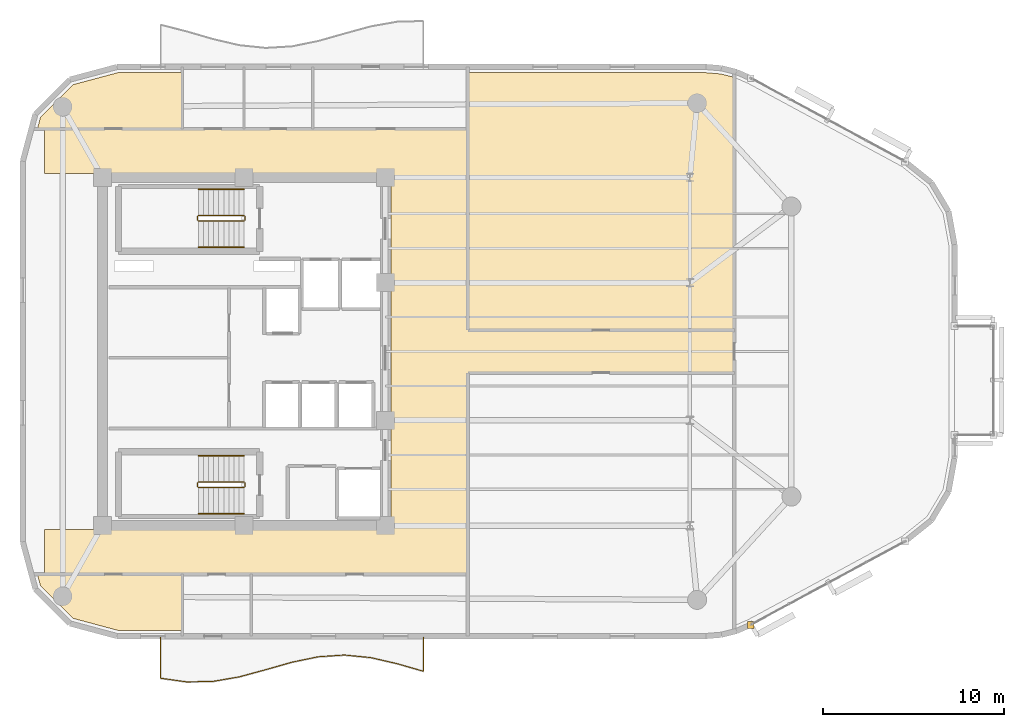
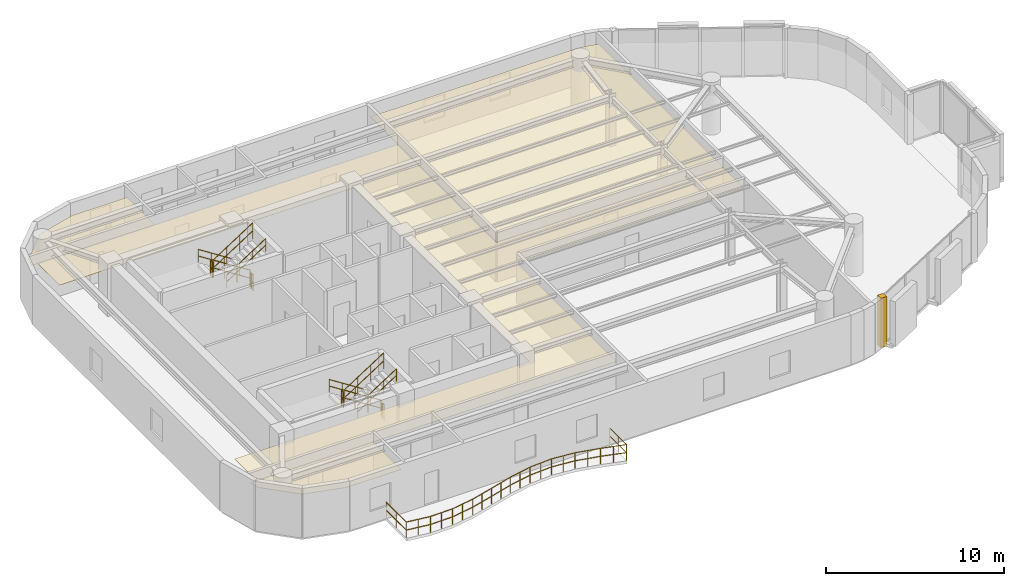
# One storey, part 13 of 14: 13 railings, 5 coverings.
"""IFC4 building model written with IfcOpenShell, lengths in metres."""

from ifc_helpers import new_model, si_unit, direction, frame, origin, origin_2d, place, context, subcontext, project, spatial, polyline, rectangle, circle, outline, extrude, material, layer, layer_set, type_object, element, save


model = new_model("IFC4")

# Units and contexts
model_context = context("Model", 3, precision=1e-05, world=origin(), true_north=direction((0.0, 1.0)))
body_context = subcontext(model_context, "Body", "Model", "MODEL_VIEW")
ifc_project = project(units=[si_unit("LENGTHUNIT", "METRE"), si_unit("AREAUNIT", "SQUARE_METRE"), si_unit("VOLUMEUNIT", "CUBIC_METRE"), si_unit("PLANEANGLEUNIT", "RADIAN"), si_unit("MASSUNIT", "GRAM", prefix="KILO")], contexts=[model_context])

# Site, building, storey
site_placement = place(None, origin())
site = spatial("IfcSite", under=ifc_project, at=site_placement, CompositionType="ELEMENT")
building_placement = place(site_placement, origin())
building = spatial("IfcBuilding", under=site, at=building_placement, Name="An Khanh Terracotta Commons", CompositionType="ELEMENT")
storey_placement = place(building_placement, frame((0.0, 0.0, 240.89990234375)))
storey = spatial("IfcBuildingStorey", under=building, at=storey_placement, Name="L63", CompositionType="ELEMENT", Elevation=240.89990234375)

# Coverings
ifc_material_1 = material(Name="Perforated Mineral-Fibre Acoustic Tile")
ifc_layer_1 = layer(ifc_material_1, 0.02001953125, Name="Perforated Mineral-Fibre Acoustic Tile")
ifc_layer_set_1 = layer_set([ifc_layer_1], Name="Perforated Mineral-Fibre Acoustic Tile")
covering_type_1 = type_object("IfcCoveringType", Name="CEIL-ACOUSTIC-18", PredefinedType="CEILING", material=ifc_layer_set_1)
covering_1_placement = place(storey_placement, frame((0.0, 0.0, 2.650146484375)))
element("IfcCovering", 1, at=covering_1_placement, inside=storey, type_object=covering_type_1, Name="L63 Corridor Ceiling", PredefinedType="CEILING", context=body_context, shape_type="SweptSolid", body=[
    extrude(outline(polyline([(18.39990234375, 11.719970703125), (18.39990234375, 14.179931640625), (37.5, 14.179931640625), (37.5, 33.820068359375), (18.39990234375, 33.820068359375), (18.39990234375, 36.280029296875), (37.5, 36.280029296875), (41.75, 36.280029296875), (41.75, 33.820068359375), (41.75, 25.179931640625), (56.449951171875, 25.179931640625), (56.449951171875, 22.820068359375), (41.75, 22.820068359375), (41.75, 14.179931640625), (41.75, 11.719970703125), (37.5, 11.719970703125), (18.39990234375, 11.719970703125)])), origin(), (0.0, 0.0, 1.0), 0.02001953125),
])
covering_2_placement = place(storey_placement, frame((0.0, 0.0, 2.650146484375)))
element("IfcCovering", 2, at=covering_2_placement, inside=storey, type_object=covering_type_1, Name="L63 Collaborative Study Lounge Ceiling", PredefinedType="CEILING", context=body_context, shape_type="SweptSolid", body=[
    extrude(outline(polyline([(54.8720703125, 39.3798828125), (55.68701171875, 39.31201171875), (56.449951171875, 39.1201171875), (56.449951171875, 25.179931640625), (41.75, 25.179931640625), (41.75, 33.820068359375), (41.75, 36.280029296875), (41.75, 39.3798828125), (54.8720703125, 39.3798828125)])), origin(), (0.0, 0.0, 1.0), 0.02001953125),
])
covering_3_placement = place(storey_placement, frame((0.0, 0.0, 2.650146484375)))
element("IfcCovering", 3, at=covering_3_placement, inside=storey, type_object=covering_type_1, Name="L63 Student Reading Library Ceiling", PredefinedType="CEILING", context=body_context, shape_type="SweptSolid", body=[
    extrude(outline(polyline([(26.0, 39.3798828125), (26.0, 39.35009765625), (26.0, 36.280029296875), (18.39990234375, 36.280029296875), (18.008056640625, 36.280029296875), (18.18408203125, 36.93408203125), (19.966064453125, 38.716064453125), (22.44189453125, 39.3798828125), (26.0, 39.3798828125)])), origin(), (0.0, 0.0, 1.0), 0.02001953125),
])
covering_4_placement = place(storey_placement, frame((0.0, 0.0, 2.650146484375)))
element("IfcCovering", 4, at=covering_4_placement, inside=storey, type_object=covering_type_1, Name="L63 Academic Seminar Room Ceiling", PredefinedType="CEILING", context=body_context, shape_type="SweptSolid", body=[
    extrude(outline(polyline([(22.44189453125, 8.6201171875), (19.966064453125, 9.283935546875), (18.18408203125, 11.06591796875), (18.008056640625, 11.719970703125), (18.39990234375, 11.719970703125), (26.0, 11.719970703125), (26.0, 8.64990234375), (26.0, 8.6201171875), (22.44189453125, 8.6201171875)])), origin(), (0.0, 0.0, 1.0), 0.02001953125),
])
ifc_material_2 = material(Name="Fired Terracotta Rainscreen Cladding", Category="masonry")
ifc_layer_2 = layer(ifc_material_2, 0.080078125, Name="Fired Terracotta Rainscreen Cladding")
ifc_layer_set_2 = layer_set([ifc_layer_2], Name="Fired Terracotta Rainscreen Cladding")
covering_type_2 = type_object("IfcCoveringType", Name="COV-JAMB-TERRA", PredefinedType="CLADDING", material=ifc_layer_set_2)
covering_5_placement = place(storey_placement, frame((57.35693359375, 8.925048828125, 0.000244140625), z_axis=(0.0, 0.0, 1.0), x_axis=(1.0, 0.0, 0.0)))
element("IfcCovering", 5, at=covering_5_placement, inside=storey, type_object=covering_type_2, Name="L63 CW-03 Curtain-Wall Jamb Closure JA", PredefinedType="CLADDING", context=body_context, shape_type="SweptSolid", body=[
    extrude(rectangle(XDim=0.3798828125, YDim=0.3798828125, at=origin_2d()), origin(), (0.0, 0.0, 1.0), 3.39990234375),
])

# Railings
ifc_material_3 = material(Name="Brushed Stainless Steel 316", Category="steel")
railing_type_1 = type_object("IfcRailingType", Name="RAIL-BALUSTRADE-1100", PredefinedType="BALUSTRADE", material=ifc_material_3)
railing_1_placement = place(storey_placement, frame((24.800048828125, 8.239990234375, 0.0)))
element("IfcRailing", 6, at=railing_1_placement, inside=storey, type_object=railing_type_1, Name="L63 S Wave Balcony Guard Balustrade", PredefinedType="BALUSTRADE", context=body_context, shape_type="SweptSolid", body=[
    extrude(circle(Radius=0.02392578125, at=origin_2d()), frame((0.0, 0.0, 1.076171875), z_axis=(0.0, -1.0, 0.0), x_axis=(1.0, 0.0, 0.0)), (0.0, 0.0, 1.0), 2.260009765625),
    extrude(circle(Radius=0.02392578125, at=origin_2d()), frame((0.0, 0.0, 0.52587890625), z_axis=(0.0, -1.0, 0.0), x_axis=(1.0, 0.0, 0.0)), (0.0, 0.0, 1.0), 2.260009765625),
    extrude(circle(Radius=0.02392578125, at=origin_2d()), frame((0.0, -2.260009765625, 1.076171875), z_axis=(0.99035227634, -0.138572611827, 0.0), x_axis=(0.138572611827, 0.99035227634, 0.0)), (0.0, 0.0, 1.0), 1.464111328125),
    extrude(circle(Radius=0.02392578125, at=origin_2d()), frame((0.0, -2.260009765625, 0.52587890625), z_axis=(0.99035227634, -0.138572611827, 0.0), x_axis=(0.138572611827, 0.99035227634, 0.0)), (0.0, 0.0, 1.0), 1.464111328125),
    extrude(circle(Radius=0.02392578125, at=origin_2d()), frame((1.449951171875, -2.462890625, 1.076171875), z_axis=(0.999802676501, 0.019864744204, 0.0), x_axis=(-0.019864744204, 0.999802676501, 0.0)), (0.0, 0.0, 1.0), 1.4501953125),
    extrude(circle(Radius=0.02392578125, at=origin_2d()), frame((1.449951171875, -2.462890625, 0.52587890625), z_axis=(0.999802676501, 0.019864744204, 0.0), x_axis=(-0.019864744204, 0.999802676501, 0.0)), (0.0, 0.0, 1.0), 1.4501953125),
    extrude(circle(Radius=0.02392578125, at=origin_2d()), frame((2.89990234375, -2.43408203125, 1.076171875), z_axis=(0.985347824939, 0.170556922721, 0.0), x_axis=(-0.170556922721, 0.985347824939, 0.0)), (0.0, 0.0, 1.0), 1.471435546875),
    extrude(circle(Radius=0.02392578125, at=origin_2d()), frame((2.89990234375, -2.43408203125, 0.52587890625), z_axis=(0.985347824939, 0.170556922721, 0.0), x_axis=(-0.170556922721, 0.985347824939, 0.0)), (0.0, 0.0, 1.0), 1.471435546875),
    extrude(circle(Radius=0.02392578125, at=origin_2d()), frame((4.349853515625, -2.18310546875, 1.076171875), z_axis=(0.965010833307, 0.262210014303, 0.0), x_axis=(-0.262210014303, 0.965010833307, 0.0)), (0.0, 0.0, 1.0), 1.502685546875),
    extrude(circle(Radius=0.02392578125, at=origin_2d()), frame((4.349853515625, -2.18310546875, 0.52587890625), z_axis=(0.965010833307, 0.262210014303, 0.0), x_axis=(-0.262210014303, 0.965010833307, 0.0)), (0.0, 0.0, 1.0), 1.502685546875),
    extrude(circle(Radius=0.02392578125, at=origin_2d()), frame((5.800048828125, -1.7890625, 1.076171875), z_axis=(0.961731438212, 0.27399386992, 0.0), x_axis=(-0.27399386992, 0.961731438212, 0.0)), (0.0, 0.0, 1.0), 1.507568359375),
    extrude(circle(Radius=0.02392578125, at=origin_2d()), frame((5.800048828125, -1.7890625, 0.52587890625), z_axis=(0.961731438212, 0.27399386992, 0.0), x_axis=(-0.27399386992, 0.961731438212, 0.0)), (0.0, 0.0, 1.0), 1.507568359375),
    extrude(circle(Radius=0.02392578125, at=origin_2d()), frame((7.25, -1.3759765625, 1.076171875), z_axis=(0.979252522328, 0.202643769985, 0.0), x_axis=(-0.202643769985, 0.979252522328, 0.0)), (0.0, 0.0, 1.0), 1.480712890625),
    extrude(circle(Radius=0.02392578125, at=origin_2d()), frame((7.25, -1.3759765625, 0.52587890625), z_axis=(0.979252522328, 0.202643769985, 0.0), x_axis=(-0.202643769985, 0.979252522328, 0.0)), (0.0, 0.0, 1.0), 1.480712890625),
    extrude(circle(Radius=0.02392578125, at=origin_2d()), frame((8.699951171875, -1.075927734375, 1.076171875), z_axis=(0.997861802068, 0.065359191952, 0.0), x_axis=(-0.065359191952, 0.997861802068, 0.0)), (0.0, 0.0, 1.0), 1.453125),
    extrude(circle(Radius=0.02392578125, at=origin_2d()), frame((8.699951171875, -1.075927734375, 0.52587890625), z_axis=(0.997861802068, 0.065359191952, 0.0), x_axis=(-0.065359191952, 0.997861802068, 0.0)), (0.0, 0.0, 1.0), 1.453125),
    extrude(circle(Radius=0.02392578125, at=origin_2d()), frame((10.14990234375, -0.98095703125, 1.076171875), z_axis=(0.995232672136, -0.097529115202, 0.0), x_axis=(0.097529115202, 0.995232672136, 0.0)), (0.0, 0.0, 1.0), 1.456787109375),
    extrude(circle(Radius=0.02392578125, at=origin_2d()), frame((10.14990234375, -0.98095703125, 0.52587890625), z_axis=(0.995232672136, -0.097529115202, 0.0), x_axis=(0.097529115202, 0.995232672136, 0.0)), (0.0, 0.0, 1.0), 1.456787109375),
    extrude(circle(Radius=0.02392578125, at=origin_2d()), frame((11.599853515625, -1.123046875, 1.076171875), z_axis=(0.974490639615, -0.224428147305, 0.0), x_axis=(0.224428147305, 0.974490639615, 0.0)), (0.0, 0.0, 1.0), 1.488037109375),
    extrude(circle(Radius=0.02392578125, at=origin_2d()), frame((11.599853515625, -1.123046875, 0.52587890625), z_axis=(0.974490639615, -0.224428147305, 0.0), x_axis=(0.224428147305, 0.974490639615, 0.0)), (0.0, 0.0, 1.0), 1.488037109375),
    extrude(circle(Radius=0.02392578125, at=origin_2d()), frame((13.050048828125, -1.45703125, 1.076171875), z_axis=(0.960701721664, -0.277582784034, 0.0), x_axis=(0.277582784034, 0.960701721664, 0.0)), (0.0, 0.0, 1.0), 1.50927734375),
    extrude(circle(Radius=0.02392578125, at=origin_2d()), frame((13.050048828125, -1.45703125, 0.52587890625), z_axis=(0.960701721664, -0.277582784034, 0.0), x_axis=(0.277582784034, 0.960701721664, 0.0)), (0.0, 0.0, 1.0), 1.50927734375),
    extrude(circle(Radius=0.02392578125, at=origin_2d()), frame((14.5, -1.8759765625, 1.076171875), z_axis=(0.0, 1.0, 0.0), x_axis=(-1.0, 0.0, 0.0)), (0.0, 0.0, 1.0), 1.8759765625),
    extrude(circle(Radius=0.02392578125, at=origin_2d()), frame((14.5, -1.8759765625, 0.52587890625), z_axis=(0.0, 1.0, 0.0), x_axis=(-1.0, 0.0, 0.0)), (0.0, 0.0, 1.0), 1.8759765625),
    extrude(circle(Radius=0.02099609375, at=origin_2d()), origin(), (0.0, 0.0, 1.0), 1.052001953125),
    extrude(circle(Radius=0.02099609375, at=origin_2d()), frame((0.0, -1.1298828125, 0.0)), (0.0, 0.0, 1.0), 1.052001953125),
    extrude(circle(Radius=0.02099609375, at=origin_2d()), frame((0.0, -2.260009765625, 0.0)), (0.0, 0.0, 1.0), 1.052001953125),
    extrude(circle(Radius=0.02099609375, at=origin_2d()), frame((0.72509765625, -2.361328125, 0.0)), (0.0, 0.0, 1.0), 1.052001953125),
    extrude(circle(Radius=0.02099609375, at=origin_2d()), frame((1.449951171875, -2.462890625, 0.0)), (0.0, 0.0, 1.0), 1.052001953125),
    extrude(circle(Radius=0.02099609375, at=origin_2d()), frame((2.1748046875, -2.448486328125, 0.0)), (0.0, 0.0, 1.0), 1.052001953125),
    extrude(circle(Radius=0.02099609375, at=origin_2d()), frame((2.89990234375, -2.43408203125, 0.0)), (0.0, 0.0, 1.0), 1.052001953125),
    extrude(circle(Radius=0.02099609375, at=origin_2d()), frame((3.625, -2.30859375, 0.0)), (0.0, 0.0, 1.0), 1.052001953125),
    extrude(circle(Radius=0.02099609375, at=origin_2d()), frame((4.349853515625, -2.18310546875, 0.0)), (0.0, 0.0, 1.0), 1.052001953125),
    extrude(circle(Radius=0.02099609375, at=origin_2d()), frame((5.074951171875, -1.986083984375, 0.0)), (0.0, 0.0, 1.0), 1.052001953125),
    extrude(circle(Radius=0.02099609375, at=origin_2d()), frame((5.800048828125, -1.7890625, 0.0)), (0.0, 0.0, 1.0), 1.052001953125),
    extrude(circle(Radius=0.02099609375, at=origin_2d()), frame((6.52490234375, -1.58251953125, 0.0)), (0.0, 0.0, 1.0), 1.052001953125),
    extrude(circle(Radius=0.02099609375, at=origin_2d()), frame((7.25, -1.3759765625, 0.0)), (0.0, 0.0, 1.0), 1.052001953125),
    extrude(circle(Radius=0.02099609375, at=origin_2d()), frame((7.97509765625, -1.22607421875, 0.0)), (0.0, 0.0, 1.0), 1.052001953125),
    extrude(circle(Radius=0.02099609375, at=origin_2d()), frame((8.699951171875, -1.075927734375, 0.0)), (0.0, 0.0, 1.0), 1.052001953125),
    extrude(circle(Radius=0.02099609375, at=origin_2d()), frame((9.4248046875, -1.0283203125, 0.0)), (0.0, 0.0, 1.0), 1.052001953125),
    extrude(circle(Radius=0.02099609375, at=origin_2d()), frame((10.14990234375, -0.98095703125, 0.0)), (0.0, 0.0, 1.0), 1.052001953125),
    extrude(circle(Radius=0.02099609375, at=origin_2d()), frame((10.875, -1.052001953125, 0.0)), (0.0, 0.0, 1.0), 1.052001953125),
    extrude(circle(Radius=0.02099609375, at=origin_2d()), frame((11.599853515625, -1.123046875, 0.0)), (0.0, 0.0, 1.0), 1.052001953125),
    extrude(circle(Radius=0.02099609375, at=origin_2d()), frame((12.324951171875, -1.2900390625, 0.0)), (0.0, 0.0, 1.0), 1.052001953125),
    extrude(circle(Radius=0.02099609375, at=origin_2d()), frame((13.050048828125, -1.45703125, 0.0)), (0.0, 0.0, 1.0), 1.052001953125),
    extrude(circle(Radius=0.02099609375, at=origin_2d()), frame((13.77490234375, -1.66650390625, 0.0)), (0.0, 0.0, 1.0), 1.052001953125),
    extrude(circle(Radius=0.02099609375, at=origin_2d()), frame((14.5, -1.8759765625, 0.0)), (0.0, 0.0, 1.0), 1.052001953125),
    extrude(circle(Radius=0.02099609375, at=origin_2d()), frame((14.5, -0.93798828125, 0.0)), (0.0, 0.0, 1.0), 1.052001953125),
    extrude(circle(Radius=0.02099609375, at=origin_2d()), frame((14.5, 0.0, 0.0)), (0.0, 0.0, 1.0), 1.052001953125),
])
railing_type_2 = type_object("IfcRailingType", Name="RAIL-HANDRAIL-900", PredefinedType="HANDRAIL", material=ifc_material_3)
railing_2_placement = place(storey_placement, frame((29.409912109375, 32.949951171875, 0.18017578125)))
element("IfcRailing", 7, at=railing_2_placement, inside=storey, type_object=railing_type_2, Name="L63 ST-01 stair handrail 1", PredefinedType="HANDRAIL", context=body_context, shape_type="SweptSolid", body=[
    extrude(circle(Radius=0.02392578125, at=origin_2d()), frame((0.0, 0.0, 0.8759765625), z_axis=(-0.841199657755, 0.0, 0.540724639528), x_axis=(0.0, -1.0, 0.0)), (0.0, 0.0, 1.0), 2.995849609375),
    extrude(circle(Radius=0.02392578125, at=origin_2d()), frame((0.0, 0.0, 0.42578125), z_axis=(-0.841199657755, 0.0, 0.540724639528), x_axis=(0.0, -1.0, 0.0)), (0.0, 0.0, 1.0), 2.995849609375),
    extrude(circle(Radius=0.02099609375, at=origin_2d()), origin(), (0.0, 0.0, 1.0), 0.851806640625),
    extrude(circle(Radius=0.02099609375, at=origin_2d()), frame((-0.840087890625, 0.0, 0.5400390625)), (0.0, 0.0, 1.0), 0.851806640625),
    extrude(circle(Radius=0.02099609375, at=origin_2d()), frame((-1.679931640625, 0.0, 1.079833984375)), (0.0, 0.0, 1.0), 0.851806640625),
    extrude(circle(Radius=0.02099609375, at=origin_2d()), frame((-2.52001953125, 0.0, 1.619873046875)), (0.0, 0.0, 1.0), 0.851806640625),
])
railing_3_placement = place(storey_placement, frame((26.889892578125, 29.75, 1.97998046875)))
element("IfcRailing", 8, at=railing_3_placement, inside=storey, type_object=railing_type_2, Name="L63 ST-01 stair handrail 2", PredefinedType="HANDRAIL", context=body_context, shape_type="SweptSolid", body=[
    extrude(circle(Radius=0.02392578125, at=origin_2d()), frame((0.0, 0.0, 0.8759765625), z_axis=(0.841162588446, 0.0, 0.540782303519), x_axis=(0.0, 1.0, 0.0)), (0.0, 0.0, 1.0), 2.995849609375),
    extrude(circle(Radius=0.02392578125, at=origin_2d()), frame((0.0, 0.0, 0.42578125), z_axis=(0.841162588446, 0.0, 0.540782303519), x_axis=(0.0, 1.0, 0.0)), (0.0, 0.0, 1.0), 2.995849609375),
    extrude(circle(Radius=0.02099609375, at=origin_2d()), origin(), (0.0, 0.0, 1.0), 0.851806640625),
    extrude(circle(Radius=0.02099609375, at=origin_2d()), frame((0.840087890625, 0.0, 0.5400390625)), (0.0, 0.0, 1.0), 0.851806640625),
    extrude(circle(Radius=0.02099609375, at=origin_2d()), frame((1.679931640625, 0.0, 1.080078125)), (0.0, 0.0, 1.0), 0.851806640625),
    extrude(circle(Radius=0.02099609375, at=origin_2d()), frame((2.52001953125, 0.0, 1.6201171875)), (0.0, 0.0, 1.0), 0.851806640625),
])
railing_4_placement = place(storey_placement, frame((29.409912109375, 18.25, 0.18017578125)))
element("IfcRailing", 9, at=railing_4_placement, inside=storey, type_object=railing_type_2, Name="L63 ST-02 stair handrail 1", PredefinedType="HANDRAIL", context=body_context, shape_type="SweptSolid", body=[
    extrude(circle(Radius=0.02392578125, at=origin_2d()), frame((0.0, 0.0, 0.8759765625), z_axis=(-0.841199657755, 0.0, 0.540724639528), x_axis=(0.0, -1.0, 0.0)), (0.0, 0.0, 1.0), 2.995849609375),
    extrude(circle(Radius=0.02392578125, at=origin_2d()), frame((0.0, 0.0, 0.42578125), z_axis=(-0.841199657755, 0.0, 0.540724639528), x_axis=(0.0, -1.0, 0.0)), (0.0, 0.0, 1.0), 2.995849609375),
    extrude(circle(Radius=0.02099609375, at=origin_2d()), origin(), (0.0, 0.0, 1.0), 0.851806640625),
    extrude(circle(Radius=0.02099609375, at=origin_2d()), frame((-0.840087890625, 0.0, 0.5400390625)), (0.0, 0.0, 1.0), 0.851806640625),
    extrude(circle(Radius=0.02099609375, at=origin_2d()), frame((-1.679931640625, 0.0, 1.079833984375)), (0.0, 0.0, 1.0), 0.851806640625),
    extrude(circle(Radius=0.02099609375, at=origin_2d()), frame((-2.52001953125, 0.0, 1.619873046875)), (0.0, 0.0, 1.0), 0.851806640625),
])
railing_5_placement = place(storey_placement, frame((26.889892578125, 15.050048828125, 1.97998046875)))
element("IfcRailing", 10, at=railing_5_placement, inside=storey, type_object=railing_type_2, Name="L63 ST-02 stair handrail 2", PredefinedType="HANDRAIL", context=body_context, shape_type="SweptSolid", body=[
    extrude(circle(Radius=0.02392578125, at=origin_2d()), frame((0.0, 0.0, 0.8759765625), z_axis=(0.841162588446, 0.0, 0.540782303519), x_axis=(0.0, 1.0, 0.0)), (0.0, 0.0, 1.0), 2.995849609375),
    extrude(circle(Radius=0.02392578125, at=origin_2d()), frame((0.0, 0.0, 0.42578125), z_axis=(0.841162588446, 0.0, 0.540782303519), x_axis=(0.0, 1.0, 0.0)), (0.0, 0.0, 1.0), 2.995849609375),
    extrude(circle(Radius=0.02099609375, at=origin_2d()), origin(), (0.0, 0.0, 1.0), 0.851806640625),
    extrude(circle(Radius=0.02099609375, at=origin_2d()), frame((0.840087890625, 0.0, 0.5400390625)), (0.0, 0.0, 1.0), 0.851806640625),
    extrude(circle(Radius=0.02099609375, at=origin_2d()), frame((1.679931640625, 0.0, 1.080078125)), (0.0, 0.0, 1.0), 0.851806640625),
    extrude(circle(Radius=0.02099609375, at=origin_2d()), frame((2.52001953125, 0.0, 1.6201171875)), (0.0, 0.0, 1.0), 0.851806640625),
])
ifc_material_4 = material(Name="Powder-Coated Steel S355J2", Category="steel")
railing_type_3 = type_object("IfcRailingType", Name="RAIL-STAIR-GUARD-1100", PredefinedType="BALUSTRADE", material=ifc_material_4)
railing_6_placement = place(storey_placement, frame((29.409912109375, 31.5, 0.18017578125)))
element("IfcRailing", 11, at=railing_6_placement, inside=storey, type_object=railing_type_3, Name="L63 ST-01 stair guard 1", PredefinedType="BALUSTRADE", context=body_context, shape_type="SweptSolid", body=[
    extrude(circle(Radius=0.02392578125, at=origin_2d()), frame((0.0, 0.0, 1.076171875), z_axis=(-0.841199657755, 0.0, 0.540724639528), x_axis=(0.0, -1.0, 0.0)), (0.0, 0.0, 1.0), 2.995849609375),
    extrude(circle(Radius=0.02392578125, at=origin_2d()), frame((0.0, 0.0, 0.52587890625), z_axis=(-0.841199657755, 0.0, 0.540724639528), x_axis=(0.0, -1.0, 0.0)), (0.0, 0.0, 1.0), 2.995849609375),
    extrude(circle(Radius=0.02099609375, at=origin_2d()), origin(), (0.0, 0.0, 1.0), 1.052001953125),
    extrude(circle(Radius=0.02099609375, at=origin_2d()), frame((-0.840087890625, 0.0, 0.5400390625)), (0.0, 0.0, 1.0), 1.052001953125),
    extrude(circle(Radius=0.02099609375, at=origin_2d()), frame((-1.679931640625, 0.0, 1.079833984375)), (0.0, 0.0, 1.0), 1.052001953125),
    extrude(circle(Radius=0.02099609375, at=origin_2d()), frame((-2.52001953125, 0.0, 1.619873046875)), (0.0, 0.0, 1.0), 1.052001953125),
])
railing_7_placement = place(storey_placement, frame((26.840087890625, 31.449951171875, 1.800048828125)))
element("IfcRailing", 12, at=railing_7_placement, inside=storey, type_object=railing_type_3, Name="L63 ST-01 stair guard 2", PredefinedType="BALUSTRADE", context=body_context, shape_type="SweptSolid", body=[
    extrude(circle(Radius=0.02392578125, at=origin_2d()), frame((0.0, 0.0, 1.076171875), z_axis=(0.0, -1.0, 0.0), x_axis=(1.0, 0.0, 0.0)), (0.0, 0.0, 1.0), 0.199951171875),
    extrude(circle(Radius=0.02392578125, at=origin_2d()), frame((0.0, 0.0, 0.52587890625), z_axis=(0.0, -1.0, 0.0), x_axis=(1.0, 0.0, 0.0)), (0.0, 0.0, 1.0), 0.199951171875),
    extrude(circle(Radius=0.02099609375, at=origin_2d()), origin(), (0.0, 0.0, 1.0), 1.052001953125),
    extrude(circle(Radius=0.02099609375, at=origin_2d()), frame((0.0, -0.199951171875, 0.0)), (0.0, 0.0, 1.0), 1.052001953125),
])
railing_8_placement = place(storey_placement, frame((26.889892578125, 31.199951171875, 1.97998046875)))
element("IfcRailing", 13, at=railing_8_placement, inside=storey, type_object=railing_type_3, Name="L63 ST-01 stair guard 3", PredefinedType="BALUSTRADE", context=body_context, shape_type="SweptSolid", body=[
    extrude(circle(Radius=0.02392578125, at=origin_2d()), frame((0.0, 0.0, 1.076171875), z_axis=(0.841162588446, 0.0, 0.540782303519), x_axis=(0.0, 1.0, 0.0)), (0.0, 0.0, 1.0), 2.995849609375),
    extrude(circle(Radius=0.02392578125, at=origin_2d()), frame((0.0, 0.0, 0.52587890625), z_axis=(0.841162588446, 0.0, 0.540782303519), x_axis=(0.0, 1.0, 0.0)), (0.0, 0.0, 1.0), 2.995849609375),
    extrude(circle(Radius=0.02099609375, at=origin_2d()), origin(), (0.0, 0.0, 1.0), 1.052001953125),
    extrude(circle(Radius=0.02099609375, at=origin_2d()), frame((0.840087890625, 0.0, 0.5400390625)), (0.0, 0.0, 1.0), 1.052001953125),
    extrude(circle(Radius=0.02099609375, at=origin_2d()), frame((1.679931640625, 0.0, 1.080078125)), (0.0, 0.0, 1.0), 1.052001953125),
    extrude(circle(Radius=0.02099609375, at=origin_2d()), frame((2.52001953125, 0.0, 1.6201171875)), (0.0, 0.0, 1.0), 1.052001953125),
])
railing_9_placement = place(storey_placement, frame((29.4599609375, 31.449951171875, 0.0)))
element("IfcRailing", 14, at=railing_9_placement, inside=storey, type_object=railing_type_3, Name="L63 ST-01 stair guard 4", PredefinedType="BALUSTRADE", context=body_context, shape_type="SweptSolid", body=[
    extrude(circle(Radius=0.02392578125, at=origin_2d()), frame((0.0, 0.0, 1.076171875), z_axis=(0.0, -1.0, 0.0), x_axis=(1.0, 0.0, 0.0)), (0.0, 0.0, 1.0), 0.199951171875),
    extrude(circle(Radius=0.02392578125, at=origin_2d()), frame((0.0, 0.0, 0.52587890625), z_axis=(0.0, -1.0, 0.0), x_axis=(1.0, 0.0, 0.0)), (0.0, 0.0, 1.0), 0.199951171875),
    extrude(circle(Radius=0.02099609375, at=origin_2d()), origin(), (0.0, 0.0, 1.0), 1.052001953125),
    extrude(circle(Radius=0.02099609375, at=origin_2d()), frame((0.0, -0.199951171875, 0.0)), (0.0, 0.0, 1.0), 1.052001953125),
])
railing_10_placement = place(storey_placement, frame((29.409912109375, 16.800048828125, 0.18017578125)))
element("IfcRailing", 15, at=railing_10_placement, inside=storey, type_object=railing_type_3, Name="L63 ST-02 stair guard 1", PredefinedType="BALUSTRADE", context=body_context, shape_type="SweptSolid", body=[
    extrude(circle(Radius=0.02392578125, at=origin_2d()), frame((0.0, 0.0, 1.076171875), z_axis=(-0.841199657755, 0.0, 0.540724639528), x_axis=(0.0, -1.0, 0.0)), (0.0, 0.0, 1.0), 2.995849609375),
    extrude(circle(Radius=0.02392578125, at=origin_2d()), frame((0.0, 0.0, 0.52587890625), z_axis=(-0.841199657755, 0.0, 0.540724639528), x_axis=(0.0, -1.0, 0.0)), (0.0, 0.0, 1.0), 2.995849609375),
    extrude(circle(Radius=0.02099609375, at=origin_2d()), origin(), (0.0, 0.0, 1.0), 1.052001953125),
    extrude(circle(Radius=0.02099609375, at=origin_2d()), frame((-0.840087890625, 0.0, 0.5400390625)), (0.0, 0.0, 1.0), 1.052001953125),
    extrude(circle(Radius=0.02099609375, at=origin_2d()), frame((-1.679931640625, 0.0, 1.079833984375)), (0.0, 0.0, 1.0), 1.052001953125),
    extrude(circle(Radius=0.02099609375, at=origin_2d()), frame((-2.52001953125, 0.0, 1.619873046875)), (0.0, 0.0, 1.0), 1.052001953125),
])
railing_11_placement = place(storey_placement, frame((26.840087890625, 16.75, 1.800048828125)))
element("IfcRailing", 16, at=railing_11_placement, inside=storey, type_object=railing_type_3, Name="L63 ST-02 stair guard 2", PredefinedType="BALUSTRADE", context=body_context, shape_type="SweptSolid", body=[
    extrude(circle(Radius=0.02392578125, at=origin_2d()), frame((0.0, 0.0, 1.076171875), z_axis=(0.0, -1.0, 0.0), x_axis=(1.0, 0.0, 0.0)), (0.0, 0.0, 1.0), 0.199951171875),
    extrude(circle(Radius=0.02392578125, at=origin_2d()), frame((0.0, 0.0, 0.52587890625), z_axis=(0.0, -1.0, 0.0), x_axis=(1.0, 0.0, 0.0)), (0.0, 0.0, 1.0), 0.199951171875),
    extrude(circle(Radius=0.02099609375, at=origin_2d()), origin(), (0.0, 0.0, 1.0), 1.052001953125),
    extrude(circle(Radius=0.02099609375, at=origin_2d()), frame((0.0, -0.199951171875, 0.0)), (0.0, 0.0, 1.0), 1.052001953125),
])
railing_12_placement = place(storey_placement, frame((26.889892578125, 16.5, 1.97998046875)))
element("IfcRailing", 17, at=railing_12_placement, inside=storey, type_object=railing_type_3, Name="L63 ST-02 stair guard 3", PredefinedType="BALUSTRADE", context=body_context, shape_type="SweptSolid", body=[
    extrude(circle(Radius=0.02392578125, at=origin_2d()), frame((0.0, 0.0, 1.076171875), z_axis=(0.841162588446, 0.0, 0.540782303519), x_axis=(0.0, 1.0, 0.0)), (0.0, 0.0, 1.0), 2.995849609375),
    extrude(circle(Radius=0.02392578125, at=origin_2d()), frame((0.0, 0.0, 0.52587890625), z_axis=(0.841162588446, 0.0, 0.540782303519), x_axis=(0.0, 1.0, 0.0)), (0.0, 0.0, 1.0), 2.995849609375),
    extrude(circle(Radius=0.02099609375, at=origin_2d()), origin(), (0.0, 0.0, 1.0), 1.052001953125),
    extrude(circle(Radius=0.02099609375, at=origin_2d()), frame((0.840087890625, 0.0, 0.5400390625)), (0.0, 0.0, 1.0), 1.052001953125),
    extrude(circle(Radius=0.02099609375, at=origin_2d()), frame((1.679931640625, 0.0, 1.080078125)), (0.0, 0.0, 1.0), 1.052001953125),
    extrude(circle(Radius=0.02099609375, at=origin_2d()), frame((2.52001953125, 0.0, 1.6201171875)), (0.0, 0.0, 1.0), 1.052001953125),
])
railing_13_placement = place(storey_placement, frame((29.4599609375, 16.75, 0.0)))
element("IfcRailing", 18, at=railing_13_placement, inside=storey, type_object=railing_type_3, Name="L63 ST-02 stair guard 4", PredefinedType="BALUSTRADE", context=body_context, shape_type="SweptSolid", body=[
    extrude(circle(Radius=0.02392578125, at=origin_2d()), frame((0.0, 0.0, 1.076171875), z_axis=(0.0, -1.0, 0.0), x_axis=(1.0, 0.0, 0.0)), (0.0, 0.0, 1.0), 0.199951171875),
    extrude(circle(Radius=0.02392578125, at=origin_2d()), frame((0.0, 0.0, 0.52587890625), z_axis=(0.0, -1.0, 0.0), x_axis=(1.0, 0.0, 0.0)), (0.0, 0.0, 1.0), 0.199951171875),
    extrude(circle(Radius=0.02099609375, at=origin_2d()), origin(), (0.0, 0.0, 1.0), 1.052001953125),
    extrude(circle(Radius=0.02099609375, at=origin_2d()), frame((0.0, -0.199951171875, 0.0)), (0.0, 0.0, 1.0), 1.052001953125),
])

save(model, "model.ifc")
